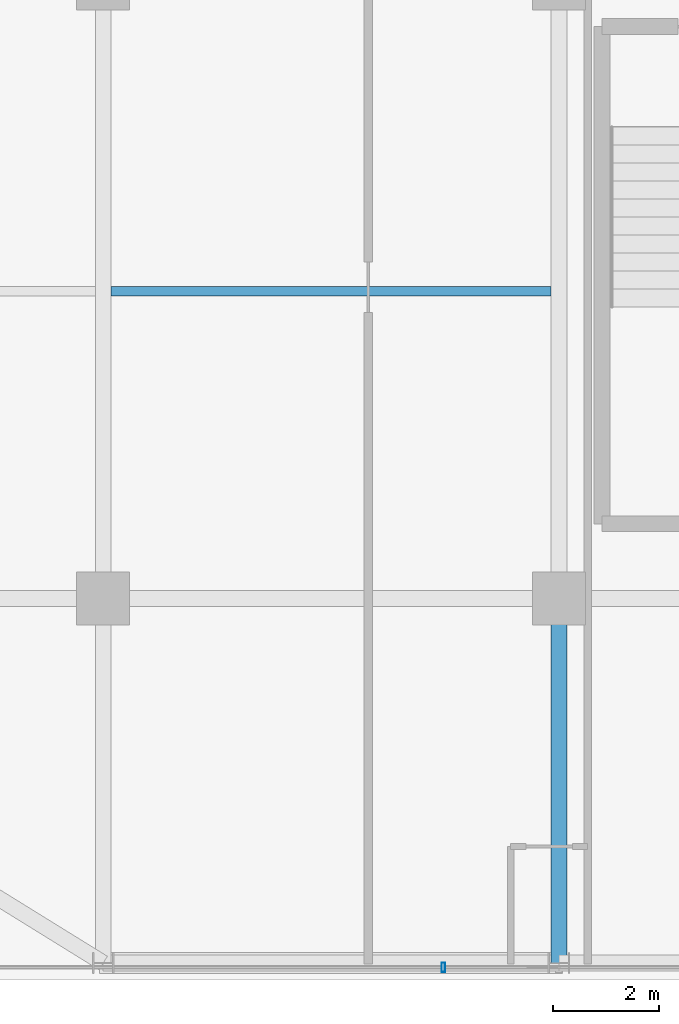
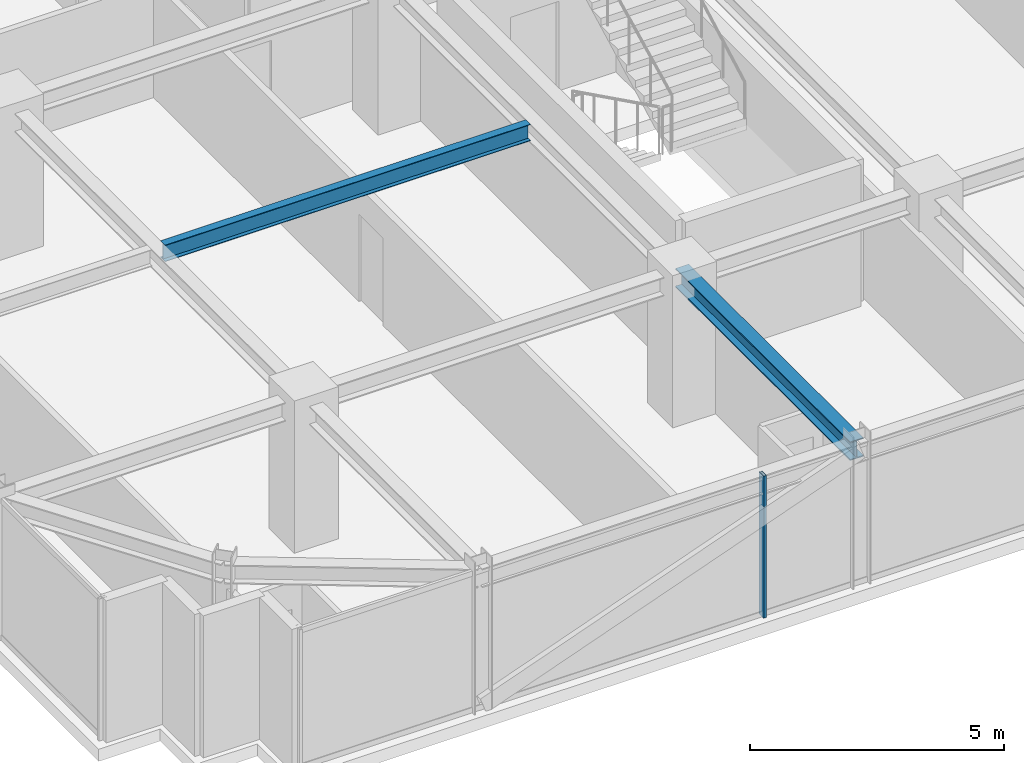
# One storey, part 7 of 36: 2 beams, 1 member, 1 element without a shape of its own.
"""IFC4 building model written with IfcOpenShell, lengths in metres."""

from ifc_helpers import new_model, si_unit, direction, frame, origin, origin_2d, place, context, subcontext, project, spatial, hollow_rectangle, i_section, extrude, source, transform, mapped, material, material_profile, profile_set, type_object, element, aggregate, save


model = new_model("IFC4")

# Units and contexts
model_context = context("Model", 3, precision=1e-05, world=origin(), true_north=direction((0.0, 1.0)))
body_context = subcontext(model_context, "Body", "Model", "MODEL_VIEW")
ifc_project = project(units=[si_unit("LENGTHUNIT", "METRE"), si_unit("AREAUNIT", "SQUARE_METRE"), si_unit("VOLUMEUNIT", "CUBIC_METRE"), si_unit("PLANEANGLEUNIT", "RADIAN"), si_unit("MASSUNIT", "GRAM", prefix="KILO")], contexts=[model_context])

# Site, building, storey
site_placement = place(None, origin())
site = spatial("IfcSite", under=ifc_project, at=site_placement, CompositionType="ELEMENT")
building_placement = place(site_placement, origin())
building = spatial("IfcBuilding", under=site, at=building_placement, Name="Nahalor Promenade Grand Hotel", CompositionType="ELEMENT")
storey_placement = place(building_placement, frame((0.0, 0.0, 212.300048828125)))
storey = spatial("IfcBuildingStorey", under=building, at=storey_placement, Name="L54", CompositionType="ELEMENT", Elevation=212.300048828125)

# Beams
ifc_material_1 = material(Name="Steel S355JR", Category="steel")
ifc_material_profile_1 = material_profile(ifc_material_1, i_section(OverallWidth=0.3, OverallDepth=0.45, WebThickness=0.014, FlangeThickness=0.026, at=origin_2d()), Name="HEB 450")
ifc_profile_set_1 = profile_set([ifc_material_profile_1], Name="Steel S355JR")
beam_type_1 = type_object("IfcBeamType", Name="Beam-Girder-HEB450", PredefinedType="BEAM", material=ifc_profile_set_1)
shared_shape_1 = source(origin(), body_context, "Body", "SweptSolid", [
    extrude(i_section(OverallWidth=0.3, OverallDepth=0.45, WebThickness=0.014, FlangeThickness=0.026, at=origin_2d()), origin(), (0.0, 0.0, 1.0), 6.8798828125),
])
beam_1_placement = place(storey_placement, frame((-8.39990234375, -23.8798828125, 3.18505859375), z_axis=(0.0, 1.0, 0.0), x_axis=(-1.0, 0.0, 0.0)))
element("IfcBeam", 1, at=beam_1_placement, inside=storey, type_object=beam_type_1, Name="BM-L54-GY-1-0", PredefinedType="BEAM", context=body_context, shape_type="MappedRepresentation", body=[
    mapped(shared_shape_1, transform((0.0, 0.0, 0.0), scale=1.0)),
])
ifc_material_profile_2 = material_profile(ifc_material_1, i_section(OverallWidth=0.18, OverallDepth=0.4, WebThickness=0.0086, FlangeThickness=0.0135, at=origin_2d()), Name="IPE 400")
ifc_profile_set_2 = profile_set([ifc_material_profile_2], Name="Steel S355JR")
beam_type_2 = type_object("IfcBeamType", Name="Beam-Joist-IPE400", PredefinedType="JOIST", material=ifc_profile_set_2)
shared_shape_2 = source(origin(), body_context, "Body", "SweptSolid", [
    extrude(i_section(OverallWidth=0.18, OverallDepth=0.4, WebThickness=0.0086, FlangeThickness=0.0135, at=origin_2d()), origin(), (0.0, 0.0, 1.0), 8.300048828125),
])
beam_2_placement = place(storey_placement, frame((-16.85009765625, -11.199951171875, 3.2099609375), z_axis=(1.0, 0.0, 0.0), x_axis=(0.0, 1.0, 0.0)))
element("IfcBeam", 2, at=beam_2_placement, inside=storey, type_object=beam_type_2, Name="BM-L54-JSW-0-1", PredefinedType="JOIST", context=body_context, shape_type="MappedRepresentation", body=[
    mapped(shared_shape_2, transform((0.0, 0.0, 0.0), scale=1.0)),
])

# Curtain wall, member
ifc_material_2 = material(Name="Anodised Bronze Aluminium EN AW-6063 T6", Category="aluminium")
curtain_wall_type = type_object("IfcCurtainWallType", Name="CW2 Typical Hotel Flush Bronze Unitised Curtain Wall", PredefinedType="USERDEFINED", material=ifc_material_2)
curtain_wall_placement = place(storey_placement, origin())
curtain_wall = element("IfcCurtainWall", 3, at=curtain_wall_placement, inside=storey, type_object=curtain_wall_type, Name="L54 Curtain Wall CW-L54-S-1", ObjectType="UNITISED_CURTAIN_WALL", PredefinedType="USERDEFINED")
ifc_material_profile_3 = material_profile(ifc_material_2, hollow_rectangle(XDim=0.065, YDim=0.18, WallThickness=0.004, at=origin_2d()), Name="CWM 65x180x4")
ifc_profile_set_3 = profile_set([ifc_material_profile_3], Name="Anodised Bronze Aluminium EN AW-6063 T6")
member_type = type_object("IfcMemberType", Name="CWM2 Typical Bronze Mullion 65x180", PredefinedType="MULLION", material=ifc_profile_set_3)
shared_shape_3 = source(origin(), body_context, "Body", "SweptSolid", [
    extrude(hollow_rectangle(XDim=0.065, YDim=0.18, WallThickness=0.004, at=origin_2d()), origin(), (0.0, 0.0, 1.0), 3.409912109375),
])
member_placement = place(storey_placement, frame((-10.580078125, -23.9599609375, 0.0), z_axis=(0.0, 0.0, 1.0), x_axis=(1.0, 0.0, 0.0)))
member = element("IfcMember", 4, at=member_placement, type_object=member_type, Name="CW-L54-S-1 Mullion 1", PredefinedType="MULLION", context=body_context, shape_type="MappedRepresentation", body=[
    mapped(shared_shape_3, transform((0.0, 0.0, 0.0), scale=1.0)),
])
aggregate(curtain_wall, [member])

save(model, "model.ifc")
